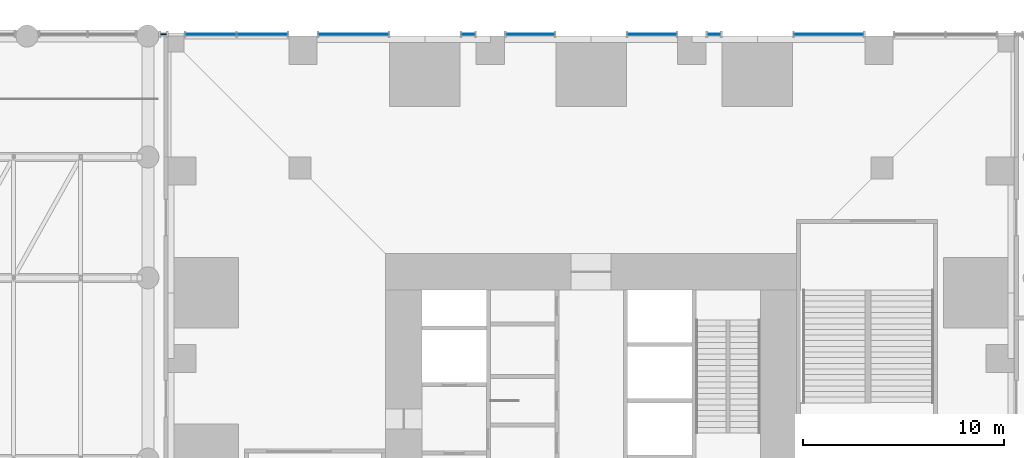
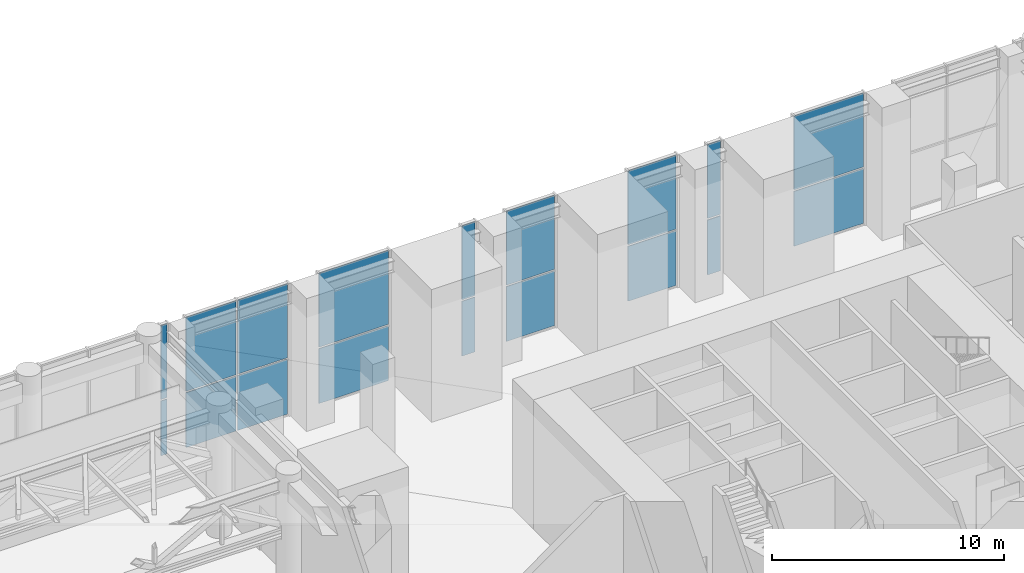
# One storey, part 19 of 30: 18 plates, 8 elements without a shape of their own.
"""IFC4 building model written with IfcOpenShell, lengths in metres."""

import ifcopenshell
import ifcopenshell.guid

model = None  # the IFC model being written
_history = None  # IfcOwnerHistory: only IFC2X3 demands one
_inside = {}  # id of a spatial element -> (the spatial element, [elements in it])
_under = {}  # id of a project, library or spatial element -> (it, [spatial elements below it])
_declared = {}  # id of a project -> (the project, [libraries it declares])
_typed = {}  # id of a type object -> (the type object, [elements of that type])
_made_of = {}  # id of a material, layer set ... -> (it, [elements and type objects made of it])


def new_model(schema):
    """Start an empty IFC model of exactly this schema.

    Asked for "IFC4X3", IfcOpenShell would pick the latest addendum, in which some entities
    have other attributes; the version numbers below select the first issue.
    IFC2X3 requires an IfcOwnerHistory on every rooted entity: one is made here for all.
    """
    global model, _history
    if schema == "IFC4X3":
        model = ifcopenshell.file(schema_version=(4, 3, 0, 0))
    else:
        model = ifcopenshell.file(schema=schema)
    _inside.clear()
    _under.clear()
    _declared.clear()
    _typed.clear()
    _made_of.clear()
    _history = None
    if model.schema == "IFC2X3":
        org = make("IfcOrganization", Name="unknown")
        user = make(
            "IfcPersonAndOrganization",
            ThePerson=make("IfcPerson", FamilyName="unknown"),
            TheOrganization=org,
        )
        app = make(
            "IfcApplication",
            ApplicationDeveloper=org,
            Version="unknown",
            ApplicationFullName="unknown",
            ApplicationIdentifier="unknown",
        )
        _history = make(
            "IfcOwnerHistory",
            OwningUser=user,
            OwningApplication=app,
            ChangeAction="ADDED",
            CreationDate=0,
        )
    return model


def make(cls, **values):
    """One entity of the class cls with the attributes given. An attribute that is None is left unset."""
    return model.create_entity(
        cls, **{name: value for name, value in values.items() if value is not None}
    )


def rooted(cls, **values):
    """An entity with a GlobalId (a new one), such as an element, a storey or a relation."""
    return make(cls, GlobalId=ifcopenshell.guid.new(), OwnerHistory=_history, **values)


def si_unit(unit_type, name, prefix=None):
    """IfcSIUnit, for example si_unit("LENGTHUNIT", "METRE", prefix="MILLI")."""
    return make("IfcSIUnit", UnitType=unit_type, Prefix=prefix, Name=name)


def assignment(units):
    """IfcUnitAssignment: the units of a project."""
    return None if units is None else make("IfcUnitAssignment", Units=units)


def point(xyz):
    """IfcCartesianPoint."""
    return None if xyz is None else make("IfcCartesianPoint", Coordinates=xyz)


def direction(xyz):
    """IfcDirection."""
    return None if xyz is None else make("IfcDirection", DirectionRatios=xyz)


def frame(location, z_axis=None, x_axis=None):
    """IfcAxis2Placement3D, a coordinate frame: its origin and axes. An axis left out is left unset."""
    return make(
        "IfcAxis2Placement3D",
        Location=point(location),
        Axis=direction(z_axis),
        RefDirection=direction(x_axis),
    )


def frame_2d(location, x_axis=None):
    """IfcAxis2Placement2D, a coordinate frame in the plane: its origin and x axis."""
    return make(
        "IfcAxis2Placement2D", Location=point(location), RefDirection=direction(x_axis)
    )


def origin():
    """The frame at (0, 0, 0) with its axes left unset."""
    return frame((0.0, 0.0, 0.0))


def origin_2d():
    """The frame at (0, 0) in the plane with its x axis left unset."""
    return frame_2d((0.0, 0.0))


def place(relative_to, where):
    """IfcLocalPlacement: puts the frame where relative to a parent placement (None: the world)."""
    return make(
        "IfcLocalPlacement", PlacementRelTo=relative_to, RelativePlacement=where
    )


def context(
    kind, dimensions, precision=None, world=None, true_north=None, identifier=None
):
    """IfcGeometricRepresentationContext, for example the 3D "Model" context."""
    return make(
        "IfcGeometricRepresentationContext",
        ContextIdentifier=identifier,
        ContextType=kind,
        CoordinateSpaceDimension=dimensions,
        Precision=precision,
        WorldCoordinateSystem=world,
        TrueNorth=true_north,
    )


def subcontext(parent, identifier, kind, view, scale=None):
    """IfcGeometricRepresentationSubContext, for example "Body" below "Model"."""
    return make(
        "IfcGeometricRepresentationSubContext",
        ContextIdentifier=identifier,
        ContextType=kind,
        ParentContext=parent,
        TargetScale=scale,
        TargetView=view,
    )


def project(units=None, contexts=None):
    """IfcProject with its units and contexts."""
    return rooted(
        "IfcProject",
        Name="project",
        RepresentationContexts=contexts,
        UnitsInContext=assignment(units),
    )


def spatial(cls, under=None, at=None, **own):
    """A site, building, storey or space (cls), placed at a placement, below another one or the project."""
    s = rooted(cls, ObjectPlacement=at, **own)
    if under is not None:
        _under.setdefault(under.id(), (under, []))[1].append(s)
    return s


def profile(cls, at=None, kind="AREA", **sizes):
    """A parametric profile (cls). Its sizes go by their IFC names, for example OverallWidth=200.0."""
    return make(cls, ProfileType=kind, Position=at, **sizes)


def rectangle(**sizes):
    """IfcRectangleProfileDef."""
    return profile("IfcRectangleProfileDef", **sizes)


def extrude(swept, where, along, depth):
    """IfcExtrudedAreaSolid: the profile swept, set in the frame where, extruded along a direction by depth."""
    return make(
        "IfcExtrudedAreaSolid",
        SweptArea=swept,
        Position=where,
        ExtrudedDirection=direction(along),
        Depth=depth,
    )


def shape(context_of_items, identifier, shape_type, items):
    """IfcShapeRepresentation: the items that make up one representation, for example the "Body"."""
    return make(
        "IfcShapeRepresentation",
        ContextOfItems=context_of_items,
        RepresentationIdentifier=identifier,
        RepresentationType=shape_type,
        Items=items,
    )


def material(Name=None, Category=None):
    """IfcMaterial."""
    return make("IfcMaterial", Name=Name, Category=Category)


def layer(
    of_material, thickness, ventilated=None, Name=None, Category=None, Priority=None
):
    """IfcMaterialLayer: one layer of a wall or slab, of a material (None: an air gap)."""
    return make(
        "IfcMaterialLayer",
        Material=of_material,
        LayerThickness=thickness,
        IsVentilated=ventilated,
        Name=Name,
        Category=Category,
        Priority=Priority,
    )


def layer_set(layers, Name=None):
    """IfcMaterialLayerSet."""
    return make("IfcMaterialLayerSet", MaterialLayers=layers, LayerSetName=Name)


def made_of(thing, what):
    """Note that an element or type object is made of a material, layer set ...; save() writes the relation."""
    if what is not None:
        _made_of.setdefault(what.id(), (what, []))[1].append(thing)
    return thing


def type_object(cls, material=None, **own):
    """A type object (cls), such as IfcWallType, which elements share."""
    return made_of(rooted(cls, **own), material)


def element(
    cls,
    number,
    at=None,
    inside=None,
    cuts=None,
    type_object=None,
    material=None,
    context=None,
    identifier="Body",
    shape_type=None,
    held_by="IfcProductDefinitionShape",
    body=None,
    shapes=None,
    **own,
):
    """One element of the class cls, such as IfcWall. Its Tag is "e" and its number.

    at: its placement. inside: the storey or other place that contains it. cuts: it is an
    opening in that element (IfcRelVoidsElement). A single representation is given by context,
    identifier, shape_type and body (its items); several are given by shapes. held_by: the class
    of the entity that holds the representations. save() writes the other relations.
    """
    e = rooted(cls, Tag="e%d" % number, ObjectPlacement=at, **own)
    if body is not None:
        shapes = [shape(context, identifier, shape_type, body)]
    if shapes is not None:
        e.Representation = make(held_by, Representations=shapes)
    if inside is not None:
        _inside.setdefault(inside.id(), (inside, []))[1].append(e)
    if cuts is not None:
        rooted(
            "IfcRelVoidsElement", RelatingBuildingElement=cuts, RelatedOpeningElement=e
        )
    if type_object is not None:
        _typed.setdefault(type_object.id(), (type_object, []))[1].append(e)
    return made_of(e, material)


def aggregate(whole, parts):
    """IfcRelAggregates: a whole, such as a stair, and the parts it consists of."""
    return rooted("IfcRelAggregates", RelatingObject=whole, RelatedObjects=parts)


def save(model, path):
    """Write the relations noted so far, then the file.

    IfcRelAggregates (storeys below a building ...), IfcRelContainedInSpatialStructure (elements
    in a storey), IfcRelDefinesByType, IfcRelAssociatesMaterial and IfcRelDeclares: one each for
    every whole, place, type object, material and project.
    """
    for whole, parts in _under.values():
        aggregate(whole, parts)
    for where, things in _inside.values():
        rooted(
            "IfcRelContainedInSpatialStructure",
            RelatedElements=things,
            RelatingStructure=where,
        )
    for kind, things in _typed.values():
        rooted("IfcRelDefinesByType", RelatedObjects=things, RelatingType=kind)
    for what, things in _made_of.values():
        rooted("IfcRelAssociatesMaterial", RelatedObjects=things, RelatingMaterial=what)
    for by, libraries in _declared.values():
        rooted("IfcRelDeclares", RelatingContext=by, RelatedDefinitions=libraries)
    model.write(path)


model = new_model("IFC4")

# Units and contexts
model_context = context("Model", 3, precision=1e-05, world=origin(), true_north=direction((0.0, 1.0)))
body_context = subcontext(model_context, "Body", "Model", "MODEL_VIEW")
ifc_project = project(units=[si_unit("LENGTHUNIT", "METRE"), si_unit("AREAUNIT", "SQUARE_METRE"), si_unit("VOLUMEUNIT", "CUBIC_METRE"), si_unit("PLANEANGLEUNIT", "RADIAN"), si_unit("MASSUNIT", "GRAM", prefix="KILO")], contexts=[model_context])

# Site, building, storey
site_placement = place(None, origin())
site = spatial("IfcSite", under=ifc_project, at=site_placement, CompositionType="ELEMENT")
building_placement = place(site_placement, origin())
building = spatial("IfcBuilding", under=site, at=building_placement, Name="Svetlomir Tower", CompositionType="ELEMENT")
storey_placement = place(building_placement, frame((0.0, 0.0, 11.0)))
storey = spatial("IfcBuildingStorey", under=building, at=storey_placement, Name="L02", CompositionType="ELEMENT", Elevation=11.0)

# Curtain wall, plates
ifc_material_1 = material(Name="Bronze anodised aluminium curtain wall", Category="aluminium")
curtain_wall_type = type_object("IfcCurtainWallType", Name="CURTAIN WALL CW5 PODIUM", PredefinedType="NOTDEFINED", material=ifc_material_1)
curtain_wall_1_placement = place(storey_placement, origin())
curtain_wall_1 = element("IfcCurtainWall", 1, at=curtain_wall_1_placement, inside=storey, type_object=curtain_wall_type, Name="Curtain wall CW5 L02", PredefinedType="NOTDEFINED")
ifc_material_2 = material(Name="Tinted double glazed unit", Category="glass")
ifc_layer = layer(ifc_material_2, 0.0400390625)
ifc_layer_set = layer_set([ifc_layer], Name="Tinted double glazed unit")
plate_type = type_object("IfcPlateType", Name="CW5 GLAZED PANEL 40", PredefinedType="CURTAIN_PANEL", material=ifc_layer_set)
plate_1_placement = place(storey_placement, frame((32.800048828125, 42.10009765625, 0.080078125), z_axis=(0.0, 0.0, 1.0), x_axis=(-1.0, 0.0, 0.0)))
plate_1 = element("IfcPlate", 2, at=plate_1_placement, type_object=plate_type, Name="CW5 panel 1.1", PredefinedType="CURTAIN_PANEL", context=body_context, shape_type="SweptSolid", body=[
    extrude(rectangle(XDim=3.43994140625, YDim=0.0400390625, at=origin_2d()), origin(), (0.0, 0.0, 1.0), 2.8798828125),
])
plate_2_placement = place(storey_placement, frame((32.800048828125, 42.10009765625, 3.0400390625), z_axis=(0.0, 0.0, 1.0), x_axis=(-1.0, 0.0, 0.0)))
plate_2 = element("IfcPlate", 3, at=plate_2_placement, type_object=plate_type, Name="CW5 panel 1.2", PredefinedType="CURTAIN_PANEL", context=body_context, shape_type="SweptSolid", body=[
    extrude(rectangle(XDim=3.43994140625, YDim=0.0400390625, at=origin_2d()), origin(), (0.0, 0.0, 1.0), 3.8798828125),
])
aggregate(curtain_wall_1, [plate_1, plate_2])

curtain_wall_2_placement = place(storey_placement, origin())
curtain_wall_2 = element("IfcCurtainWall", 4, at=curtain_wall_2_placement, inside=storey, type_object=curtain_wall_type, Name="Curtain wall CW5 L02", PredefinedType="NOTDEFINED")
plate_3_placement = place(storey_placement, frame((27.10009765625, 42.10009765625, 0.080078125), z_axis=(0.0, 0.0, 1.0), x_axis=(-1.0, 0.0, 0.0)))
plate_3 = element("IfcPlate", 5, at=plate_3_placement, type_object=plate_type, Name="CW5 panel 1.1", PredefinedType="CURTAIN_PANEL", context=body_context, shape_type="SweptSolid", body=[
    extrude(rectangle(XDim=0.639892578125, YDim=0.0400390625, at=origin_2d()), origin(), (0.0, 0.0, 1.0), 2.8798828125),
])
plate_4_placement = place(storey_placement, frame((27.10009765625, 42.10009765625, 3.0400390625), z_axis=(0.0, 0.0, 1.0), x_axis=(-1.0, 0.0, 0.0)))
plate_4 = element("IfcPlate", 6, at=plate_4_placement, type_object=plate_type, Name="CW5 panel 1.2", PredefinedType="CURTAIN_PANEL", context=body_context, shape_type="SweptSolid", body=[
    extrude(rectangle(XDim=0.639892578125, YDim=0.0400390625, at=origin_2d()), origin(), (0.0, 0.0, 1.0), 3.8798828125),
])
aggregate(curtain_wall_2, [plate_3, plate_4])

curtain_wall_3_placement = place(storey_placement, origin())
curtain_wall_3 = element("IfcCurtainWall", 7, at=curtain_wall_3_placement, inside=storey, type_object=curtain_wall_type, Name="Curtain wall CW5 L02", PredefinedType="NOTDEFINED")
plate_5_placement = place(storey_placement, frame((24.02490234375, 42.10009765625, 0.080078125), z_axis=(0.0, 0.0, 1.0), x_axis=(-1.0, 0.0, 0.0)))
plate_5 = element("IfcPlate", 8, at=plate_5_placement, type_object=plate_type, Name="CW5 panel 1.1", PredefinedType="CURTAIN_PANEL", context=body_context, shape_type="SweptSolid", body=[
    extrude(rectangle(XDim=2.389892578125, YDim=0.0400390625, at=origin_2d()), origin(), (0.0, 0.0, 1.0), 2.8798828125),
])
plate_6_placement = place(storey_placement, frame((24.02490234375, 42.10009765625, 3.0400390625), z_axis=(0.0, 0.0, 1.0), x_axis=(-1.0, 0.0, 0.0)))
plate_6 = element("IfcPlate", 9, at=plate_6_placement, type_object=plate_type, Name="CW5 panel 1.2", PredefinedType="CURTAIN_PANEL", context=body_context, shape_type="SweptSolid", body=[
    extrude(rectangle(XDim=2.389892578125, YDim=0.0400390625, at=origin_2d()), origin(), (0.0, 0.0, 1.0), 3.8798828125),
])
aggregate(curtain_wall_3, [plate_5, plate_6])

curtain_wall_4_placement = place(storey_placement, origin())
curtain_wall_4 = element("IfcCurtainWall", 10, at=curtain_wall_4_placement, inside=storey, type_object=curtain_wall_type, Name="Curtain wall CW5 L02", PredefinedType="NOTDEFINED")
plate_7_placement = place(storey_placement, frame((17.97509765625, 42.10009765625, 0.080078125), z_axis=(0.0, 0.0, 1.0), x_axis=(-1.0, 0.0, 0.0)))
plate_7 = element("IfcPlate", 11, at=plate_7_placement, type_object=plate_type, Name="CW5 panel 1.1", PredefinedType="CURTAIN_PANEL", context=body_context, shape_type="SweptSolid", body=[
    extrude(rectangle(XDim=2.389892578125, YDim=0.0400390625, at=origin_2d()), origin(), (0.0, 0.0, 1.0), 2.8798828125),
])
plate_8_placement = place(storey_placement, frame((17.97509765625, 42.10009765625, 3.0400390625), z_axis=(0.0, 0.0, 1.0), x_axis=(-1.0, 0.0, 0.0)))
plate_8 = element("IfcPlate", 12, at=plate_8_placement, type_object=plate_type, Name="CW5 panel 1.2", PredefinedType="CURTAIN_PANEL", context=body_context, shape_type="SweptSolid", body=[
    extrude(rectangle(XDim=2.389892578125, YDim=0.0400390625, at=origin_2d()), origin(), (0.0, 0.0, 1.0), 3.8798828125),
])
aggregate(curtain_wall_4, [plate_7, plate_8])

curtain_wall_5_placement = place(storey_placement, origin())
curtain_wall_5 = element("IfcCurtainWall", 13, at=curtain_wall_5_placement, inside=storey, type_object=curtain_wall_type, Name="Curtain wall CW5 L02", PredefinedType="NOTDEFINED")
plate_9_placement = place(storey_placement, frame((14.89990234375, 42.10009765625, 0.080078125), z_axis=(0.0, 0.0, 1.0), x_axis=(-1.0, 0.0, 0.0)))
plate_9 = element("IfcPlate", 14, at=plate_9_placement, type_object=plate_type, Name="CW5 panel 1.1", PredefinedType="CURTAIN_PANEL", context=body_context, shape_type="SweptSolid", body=[
    extrude(rectangle(XDim=0.639892578125, YDim=0.0400390625, at=origin_2d()), origin(), (0.0, 0.0, 1.0), 2.8798828125),
])
plate_10_placement = place(storey_placement, frame((14.89990234375, 42.10009765625, 3.0400390625), z_axis=(0.0, 0.0, 1.0), x_axis=(-1.0, 0.0, 0.0)))
plate_10 = element("IfcPlate", 15, at=plate_10_placement, type_object=plate_type, Name="CW5 panel 1.2", PredefinedType="CURTAIN_PANEL", context=body_context, shape_type="SweptSolid", body=[
    extrude(rectangle(XDim=0.639892578125, YDim=0.0400390625, at=origin_2d()), origin(), (0.0, 0.0, 1.0), 3.8798828125),
])
aggregate(curtain_wall_5, [plate_9, plate_10])

curtain_wall_6_placement = place(storey_placement, origin())
curtain_wall_6 = element("IfcCurtainWall", 16, at=curtain_wall_6_placement, inside=storey, type_object=curtain_wall_type, Name="Curtain wall CW5 L02", PredefinedType="NOTDEFINED")
plate_11_placement = place(storey_placement, frame((9.199951171875, 42.10009765625, 0.080078125), z_axis=(0.0, 0.0, 1.0), x_axis=(-1.0, 0.0, 0.0)))
plate_11 = element("IfcPlate", 17, at=plate_11_placement, type_object=plate_type, Name="CW5 panel 1.1", PredefinedType="CURTAIN_PANEL", context=body_context, shape_type="SweptSolid", body=[
    extrude(rectangle(XDim=3.43994140625, YDim=0.0400390625, at=origin_2d()), origin(), (0.0, 0.0, 1.0), 2.8798828125),
])
plate_12_placement = place(storey_placement, frame((9.199951171875, 42.10009765625, 3.0400390625), z_axis=(0.0, 0.0, 1.0), x_axis=(-1.0, 0.0, 0.0)))
plate_12 = element("IfcPlate", 18, at=plate_12_placement, type_object=plate_type, Name="CW5 panel 1.2", PredefinedType="CURTAIN_PANEL", context=body_context, shape_type="SweptSolid", body=[
    extrude(rectangle(XDim=3.43994140625, YDim=0.0400390625, at=origin_2d()), origin(), (0.0, 0.0, 1.0), 3.8798828125),
])
aggregate(curtain_wall_6, [plate_11, plate_12])

curtain_wall_7_placement = place(storey_placement, origin())
curtain_wall_7 = element("IfcCurtainWall", 19, at=curtain_wall_7_placement, inside=storey, type_object=curtain_wall_type, Name="Curtain wall CW5 L02", PredefinedType="NOTDEFINED")
plate_13_placement = place(storey_placement, frame((4.679931640625, 42.10009765625, 0.080078125), z_axis=(0.0, 0.0, 1.0), x_axis=(-1.0, 0.0, 0.0)))
plate_13 = element("IfcPlate", 20, at=plate_13_placement, type_object=plate_type, Name="CW5 panel 1.1", PredefinedType="CURTAIN_PANEL", context=body_context, shape_type="SweptSolid", body=[
    extrude(rectangle(XDim=2.47998046875, YDim=0.0400390625, at=origin_2d()), origin(), (0.0, 0.0, 1.0), 2.8798828125),
])
plate_14_placement = place(storey_placement, frame((4.679931640625, 42.10009765625, 3.0400390625), z_axis=(0.0, 0.0, 1.0), x_axis=(-1.0, 0.0, 0.0)))
plate_14 = element("IfcPlate", 21, at=plate_14_placement, type_object=plate_type, Name="CW5 panel 1.2", PredefinedType="CURTAIN_PANEL", context=body_context, shape_type="SweptSolid", body=[
    extrude(rectangle(XDim=2.47998046875, YDim=0.0400390625, at=origin_2d()), origin(), (0.0, 0.0, 1.0), 3.8798828125),
])
plate_15_placement = place(storey_placement, frame((2.1201171875, 42.10009765625, 0.080078125), z_axis=(0.0, 0.0, 1.0), x_axis=(-1.0, 0.0, 0.0)))
plate_15 = element("IfcPlate", 22, at=plate_15_placement, type_object=plate_type, Name="CW5 panel 2.1", PredefinedType="CURTAIN_PANEL", context=body_context, shape_type="SweptSolid", body=[
    extrude(rectangle(XDim=2.47998046875, YDim=0.0400390625, at=origin_2d()), origin(), (0.0, 0.0, 1.0), 2.8798828125),
])
plate_16_placement = place(storey_placement, frame((2.1201171875, 42.10009765625, 3.0400390625), z_axis=(0.0, 0.0, 1.0), x_axis=(-1.0, 0.0, 0.0)))
plate_16 = element("IfcPlate", 23, at=plate_16_placement, type_object=plate_type, Name="CW5 panel 2.2", PredefinedType="CURTAIN_PANEL", context=body_context, shape_type="SweptSolid", body=[
    extrude(rectangle(XDim=2.47998046875, YDim=0.0400390625, at=origin_2d()), origin(), (0.0, 0.0, 1.0), 3.8798828125),
])
aggregate(curtain_wall_7, [plate_13, plate_14, plate_15, plate_16])

curtain_wall_8_placement = place(storey_placement, origin())
curtain_wall_8 = element("IfcCurtainWall", 24, at=curtain_wall_8_placement, inside=storey, type_object=curtain_wall_type, Name="Curtain wall CW5 L02", PredefinedType="NOTDEFINED")
plate_17_placement = place(storey_placement, frame((-0.22509765625, 42.10009765625, 0.080078125), z_axis=(0.0, 0.0, 1.0), x_axis=(-1.0, 0.0, 0.0)))
plate_17 = element("IfcPlate", 25, at=plate_17_placement, type_object=plate_type, Name="CW5 panel 1.1", PredefinedType="CURTAIN_PANEL", context=body_context, shape_type="SweptSolid", body=[
    extrude(rectangle(XDim=0.2900390625, YDim=0.0400390625, at=origin_2d()), origin(), (0.0, 0.0, 1.0), 2.8798828125),
])
plate_18_placement = place(storey_placement, frame((-0.22509765625, 42.10009765625, 3.0400390625), z_axis=(0.0, 0.0, 1.0), x_axis=(-1.0, 0.0, 0.0)))
plate_18 = element("IfcPlate", 26, at=plate_18_placement, type_object=plate_type, Name="CW5 panel 1.2", PredefinedType="CURTAIN_PANEL", context=body_context, shape_type="SweptSolid", body=[
    extrude(rectangle(XDim=0.2900390625, YDim=0.0400390625, at=origin_2d()), origin(), (0.0, 0.0, 1.0), 3.8798828125),
])
aggregate(curtain_wall_8, [plate_17, plate_18])

save(model, "model.ifc")
